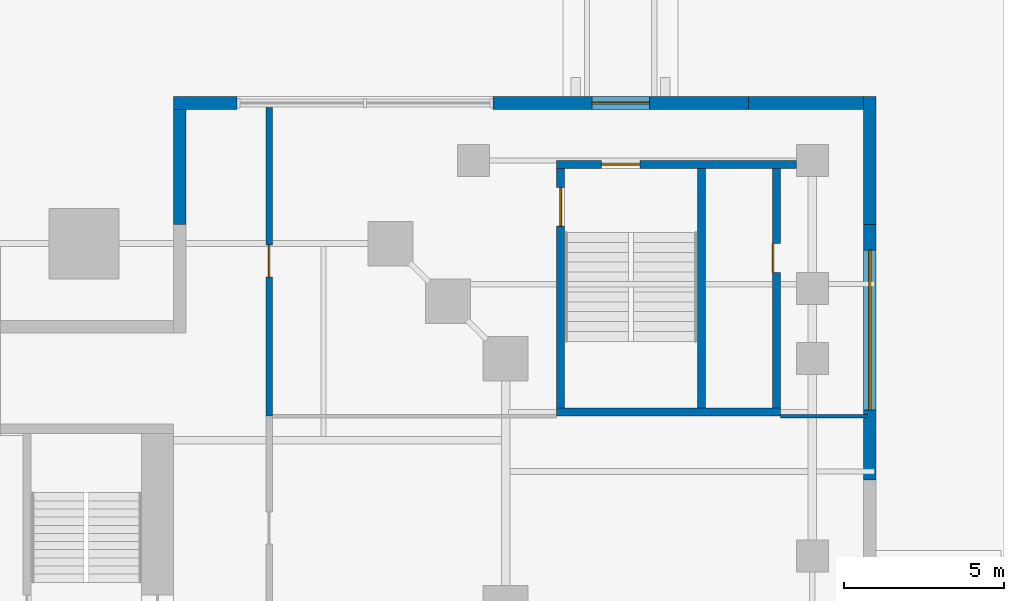
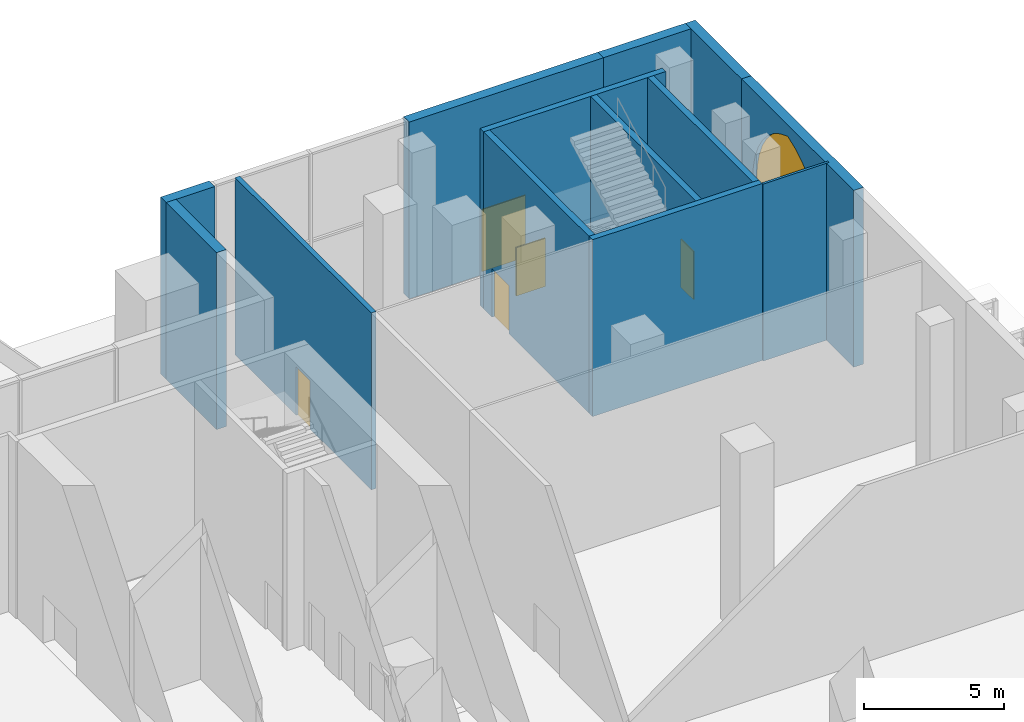
# One storey, part 34 of 38: 13 walls, 5 doors, 1 window, 6 openings.
"""IFC4 building model written with IfcOpenShell, lengths in metres."""

import ifcopenshell
import ifcopenshell.guid

model = None  # the IFC model being written
_history = None  # IfcOwnerHistory: only IFC2X3 demands one
_inside = {}  # id of a spatial element -> (the spatial element, [elements in it])
_under = {}  # id of a project, library or spatial element -> (it, [spatial elements below it])
_declared = {}  # id of a project -> (the project, [libraries it declares])
_typed = {}  # id of a type object -> (the type object, [elements of that type])
_made_of = {}  # id of a material, layer set ... -> (it, [elements and type objects made of it])


def new_model(schema):
    """Start an empty IFC model of exactly this schema.

    Asked for "IFC4X3", IfcOpenShell would pick the latest addendum, in which some entities
    have other attributes; the version numbers below select the first issue.
    IFC2X3 requires an IfcOwnerHistory on every rooted entity: one is made here for all.
    """
    global model, _history
    if schema == "IFC4X3":
        model = ifcopenshell.file(schema_version=(4, 3, 0, 0))
    else:
        model = ifcopenshell.file(schema=schema)
    _inside.clear()
    _under.clear()
    _declared.clear()
    _typed.clear()
    _made_of.clear()
    _history = None
    if model.schema == "IFC2X3":
        org = make("IfcOrganization", Name="unknown")
        user = make(
            "IfcPersonAndOrganization",
            ThePerson=make("IfcPerson", FamilyName="unknown"),
            TheOrganization=org,
        )
        app = make(
            "IfcApplication",
            ApplicationDeveloper=org,
            Version="unknown",
            ApplicationFullName="unknown",
            ApplicationIdentifier="unknown",
        )
        _history = make(
            "IfcOwnerHistory",
            OwningUser=user,
            OwningApplication=app,
            ChangeAction="ADDED",
            CreationDate=0,
        )
    return model


def make(cls, **values):
    """One entity of the class cls with the attributes given. An attribute that is None is left unset."""
    return model.create_entity(
        cls, **{name: value for name, value in values.items() if value is not None}
    )


def rooted(cls, **values):
    """An entity with a GlobalId (a new one), such as an element, a storey or a relation."""
    return make(cls, GlobalId=ifcopenshell.guid.new(), OwnerHistory=_history, **values)


def si_unit(unit_type, name, prefix=None):
    """IfcSIUnit, for example si_unit("LENGTHUNIT", "METRE", prefix="MILLI")."""
    return make("IfcSIUnit", UnitType=unit_type, Prefix=prefix, Name=name)


def assignment(units):
    """IfcUnitAssignment: the units of a project."""
    return None if units is None else make("IfcUnitAssignment", Units=units)


def point(xyz):
    """IfcCartesianPoint."""
    return None if xyz is None else make("IfcCartesianPoint", Coordinates=xyz)


def direction(xyz):
    """IfcDirection."""
    return None if xyz is None else make("IfcDirection", DirectionRatios=xyz)


def frame(location, z_axis=None, x_axis=None):
    """IfcAxis2Placement3D, a coordinate frame: its origin and axes. An axis left out is left unset."""
    return make(
        "IfcAxis2Placement3D",
        Location=point(location),
        Axis=direction(z_axis),
        RefDirection=direction(x_axis),
    )


def frame_2d(location, x_axis=None):
    """IfcAxis2Placement2D, a coordinate frame in the plane: its origin and x axis."""
    return make(
        "IfcAxis2Placement2D", Location=point(location), RefDirection=direction(x_axis)
    )


def origin():
    """The frame at (0, 0, 0) with its axes left unset."""
    return frame((0.0, 0.0, 0.0))


def place(relative_to, where):
    """IfcLocalPlacement: puts the frame where relative to a parent placement (None: the world)."""
    return make(
        "IfcLocalPlacement", PlacementRelTo=relative_to, RelativePlacement=where
    )


def context(
    kind, dimensions, precision=None, world=None, true_north=None, identifier=None
):
    """IfcGeometricRepresentationContext, for example the 3D "Model" context."""
    return make(
        "IfcGeometricRepresentationContext",
        ContextIdentifier=identifier,
        ContextType=kind,
        CoordinateSpaceDimension=dimensions,
        Precision=precision,
        WorldCoordinateSystem=world,
        TrueNorth=true_north,
    )


def subcontext(parent, identifier, kind, view, scale=None):
    """IfcGeometricRepresentationSubContext, for example "Body" below "Model"."""
    return make(
        "IfcGeometricRepresentationSubContext",
        ContextIdentifier=identifier,
        ContextType=kind,
        ParentContext=parent,
        TargetScale=scale,
        TargetView=view,
    )


def project(units=None, contexts=None):
    """IfcProject with its units and contexts."""
    return rooted(
        "IfcProject",
        Name="project",
        RepresentationContexts=contexts,
        UnitsInContext=assignment(units),
    )


def spatial(cls, under=None, at=None, **own):
    """A site, building, storey or space (cls), placed at a placement, below another one or the project."""
    s = rooted(cls, ObjectPlacement=at, **own)
    if under is not None:
        _under.setdefault(under.id(), (under, []))[1].append(s)
    return s


def polyline(points):
    """IfcPolyline through the points."""
    return make("IfcPolyline", Points=[point(p) for p in points])


def profile(cls, at=None, kind="AREA", **sizes):
    """A parametric profile (cls). Its sizes go by their IFC names, for example OverallWidth=200.0."""
    return make(cls, ProfileType=kind, Position=at, **sizes)


def rectangle(**sizes):
    """IfcRectangleProfileDef."""
    return profile("IfcRectangleProfileDef", **sizes)


def outline(outer, holes=None, kind="AREA"):
    """IfcArbitraryClosedProfileDef: a profile drawn as a closed curve; with holes, ...WithVoids."""
    if holes is None:
        return make("IfcArbitraryClosedProfileDef", ProfileType=kind, OuterCurve=outer)
    return make(
        "IfcArbitraryProfileDefWithVoids",
        ProfileType=kind,
        OuterCurve=outer,
        InnerCurves=holes,
    )


def extrude(swept, where, along, depth):
    """IfcExtrudedAreaSolid: the profile swept, set in the frame where, extruded along a direction by depth."""
    return make(
        "IfcExtrudedAreaSolid",
        SweptArea=swept,
        Position=where,
        ExtrudedDirection=direction(along),
        Depth=depth,
    )


def shape(context_of_items, identifier, shape_type, items):
    """IfcShapeRepresentation: the items that make up one representation, for example the "Body"."""
    return make(
        "IfcShapeRepresentation",
        ContextOfItems=context_of_items,
        RepresentationIdentifier=identifier,
        RepresentationType=shape_type,
        Items=items,
    )


def material(Name=None, Category=None):
    """IfcMaterial."""
    return make("IfcMaterial", Name=Name, Category=Category)


def layer(
    of_material, thickness, ventilated=None, Name=None, Category=None, Priority=None
):
    """IfcMaterialLayer: one layer of a wall or slab, of a material (None: an air gap)."""
    return make(
        "IfcMaterialLayer",
        Material=of_material,
        LayerThickness=thickness,
        IsVentilated=ventilated,
        Name=Name,
        Category=Category,
        Priority=Priority,
    )


def layer_set(layers, Name=None):
    """IfcMaterialLayerSet."""
    return make("IfcMaterialLayerSet", MaterialLayers=layers, LayerSetName=Name)


def made_of(thing, what):
    """Note that an element or type object is made of a material, layer set ...; save() writes the relation."""
    if what is not None:
        _made_of.setdefault(what.id(), (what, []))[1].append(thing)
    return thing


def type_object(cls, material=None, **own):
    """A type object (cls), such as IfcWallType, which elements share."""
    return made_of(rooted(cls, **own), material)


def element(
    cls,
    number,
    at=None,
    inside=None,
    cuts=None,
    type_object=None,
    material=None,
    context=None,
    identifier="Body",
    shape_type=None,
    held_by="IfcProductDefinitionShape",
    body=None,
    shapes=None,
    **own,
):
    """One element of the class cls, such as IfcWall. Its Tag is "e" and its number.

    at: its placement. inside: the storey or other place that contains it. cuts: it is an
    opening in that element (IfcRelVoidsElement). A single representation is given by context,
    identifier, shape_type and body (its items); several are given by shapes. held_by: the class
    of the entity that holds the representations. save() writes the other relations.
    """
    e = rooted(cls, Tag="e%d" % number, ObjectPlacement=at, **own)
    if body is not None:
        shapes = [shape(context, identifier, shape_type, body)]
    if shapes is not None:
        e.Representation = make(held_by, Representations=shapes)
    if inside is not None:
        _inside.setdefault(inside.id(), (inside, []))[1].append(e)
    if cuts is not None:
        rooted(
            "IfcRelVoidsElement", RelatingBuildingElement=cuts, RelatedOpeningElement=e
        )
    if type_object is not None:
        _typed.setdefault(type_object.id(), (type_object, []))[1].append(e)
    return made_of(e, material)


def fill(opening, filler):
    """IfcRelFillsElement: the door or window that sits in an opening."""
    return rooted(
        "IfcRelFillsElement",
        RelatingOpeningElement=opening,
        RelatedBuildingElement=filler,
    )


def aggregate(whole, parts):
    """IfcRelAggregates: a whole, such as a stair, and the parts it consists of."""
    return rooted("IfcRelAggregates", RelatingObject=whole, RelatedObjects=parts)


def save(model, path):
    """Write the relations noted so far, then the file.

    IfcRelAggregates (storeys below a building ...), IfcRelContainedInSpatialStructure (elements
    in a storey), IfcRelDefinesByType, IfcRelAssociatesMaterial and IfcRelDeclares: one each for
    every whole, place, type object, material and project.
    """
    for whole, parts in _under.values():
        aggregate(whole, parts)
    for where, things in _inside.values():
        rooted(
            "IfcRelContainedInSpatialStructure",
            RelatedElements=things,
            RelatingStructure=where,
        )
    for kind, things in _typed.values():
        rooted("IfcRelDefinesByType", RelatedObjects=things, RelatingType=kind)
    for what, things in _made_of.values():
        rooted("IfcRelAssociatesMaterial", RelatedObjects=things, RelatingMaterial=what)
    for by, libraries in _declared.values():
        rooted("IfcRelDeclares", RelatingContext=by, RelatedDefinitions=libraries)
    model.write(path)


model = new_model("IFC4")

# Units and contexts
model_context = context("Model", 3, precision=1e-05, world=origin(), true_north=direction((0.0, 1.0)))
body_context = subcontext(model_context, "Body", "Model", "MODEL_VIEW")
ifc_project = project(units=[si_unit("LENGTHUNIT", "METRE"), si_unit("AREAUNIT", "SQUARE_METRE"), si_unit("VOLUMEUNIT", "CUBIC_METRE"), si_unit("PLANEANGLEUNIT", "RADIAN"), si_unit("MASSUNIT", "GRAM", prefix="KILO")], contexts=[model_context])

# Site, building, storey
site_placement = place(None, origin())
site = spatial("IfcSite", under=ifc_project, at=site_placement, CompositionType="ELEMENT")
building_placement = place(site_placement, origin())
building = spatial("IfcBuilding", under=site, at=building_placement, Name="Ogive Exchange Tower", CompositionType="ELEMENT")
storey_placement = place(building_placement, origin())
storey = spatial("IfcBuildingStorey", under=building, at=storey_placement, Name="L00", CompositionType="ELEMENT", Elevation=0.0)

# Wall, opening, window
ifc_material_1 = material(Name="Precast concrete C40/50", Category="concrete")
ifc_layer_1 = layer(ifc_material_1, 0.39990234375)
ifc_layer_set_1 = layer_set([ifc_layer_1], Name="Limestone-faced wall 400")
wall_type_1 = type_object("IfcWallType", Name="Limestone-faced wall 400", PredefinedType="STANDARD", material=ifc_layer_set_1)
wall_1_placement = place(storey_placement, frame((43.800048828125, 24.0, 0.0), z_axis=(0.0, 0.0, 1.0), x_axis=(0.0, 1.0, 0.0)))
wall_1 = element("IfcWall", 1, at=wall_1_placement, inside=storey, type_object=wall_type_1, Name="Podium wall E11", PredefinedType="STANDARD", context=body_context, shape_type="SweptSolid", body=[
    extrude(rectangle(XDim=8.0, YDim=0.39990234375, at=frame_2d((4.0, 0.0))), origin(), (0.0, 0.0, 1.0), 7.699951171875),
])
opening_1_placement = place(wall_1_placement, frame((2.199951171875, 0.0, 0.5)))
opening_1 = element("IfcOpeningElement", 2, at=opening_1_placement, cuts=wall_1, Name="Opening WA500", PredefinedType="OPENING", context=body_context, shape_type="SweptSolid", body=[
    extrude(outline(polyline([(0.0, 0.0), (5.0, 0.0), (5.0, 3.349853515625), (4.955322265625, 3.907470703125), (4.822021484375, 4.450927734375), (4.603759765625, 4.966064453125), (4.30615234375, 5.43994140625), (3.936767578125, 5.860107421875), (3.5048828125, 6.2158203125), (3.02197265625, 6.498291015625), (2.5, 6.699951171875), (1.97802734375, 6.498291015625), (1.4951171875, 6.2158203125), (1.063232421875, 5.860107421875), (0.69384765625, 5.43994140625), (0.396240234375, 4.966064453125), (0.177978515625, 4.450927734375), (0.044677734375, 3.907470703125), (0.0, 3.349853515625), (0.0, 0.0)])), frame((0.0, 0.2099609375, 0.0), z_axis=(0.0, -1.0, 0.0), x_axis=(1.0, 0.0, 0.0)), (0.0, 0.0, 1.0), 0.419921875),
])
ifc_material_2 = material(Name="Clear glass in bronze frame", Category="glass")
window_type = type_object("IfcWindowType", Name="Arcade lancet 5000 x 6700", PartitioningType="DOUBLE_PANEL_VERTICAL", PredefinedType="WINDOW", material=ifc_material_2)
window_placement = place(opening_1_placement, origin())
window = element("IfcWindow", 3, at=window_placement, inside=storey, type_object=window_type, Name="Arcade lancet E11", OverallHeight=6.699951171875, OverallWidth=5.0, PartitioningType="DOUBLE_PANEL_VERTICAL", PredefinedType="WINDOW", context=body_context, shape_type="SweptSolid", body=[
    extrude(outline(polyline([(0.0, 0.0), (5.0, 0.0), (5.0, 3.349853515625), (4.955322265625, 3.907470703125), (4.822021484375, 4.450927734375), (4.603759765625, 4.966064453125), (4.30615234375, 5.43994140625), (3.936767578125, 5.860107421875), (3.5048828125, 6.2158203125), (3.02197265625, 6.498291015625), (2.5, 6.699951171875), (1.97802734375, 6.498291015625), (1.4951171875, 6.2158203125), (1.063232421875, 5.860107421875), (0.69384765625, 5.43994140625), (0.396240234375, 4.966064453125), (0.177978515625, 4.450927734375), (0.044677734375, 3.907470703125), (0.0, 3.349853515625), (0.0, 0.0)])), frame((0.0, 0.030029296875, 0.0), z_axis=(0.0, -1.0, 0.0), x_axis=(1.0, 0.0, 0.0)), (0.0, 0.0, 1.0), 0.06005859375),
])
fill(opening_1, window)

# Walls
wall_2_placement = place(storey_placement, frame((43.800048828125, 32.0, 0.0), z_axis=(0.0, 0.0, 1.0), x_axis=(0.0, 1.0, 0.0)))
element("IfcWall", 4, at=wall_2_placement, inside=storey, type_object=wall_type_1, Name="Podium wall E12", PredefinedType="STANDARD", context=body_context, shape_type="SweptSolid", body=[
    extrude(rectangle(XDim=4.0, YDim=0.39990234375, at=frame_2d((2.0, 0.0))), origin(), (0.0, 0.0, 1.0), 7.699951171875),
])
wall_3_placement = place(storey_placement, frame((43.60009765625, 35.800048828125, 0.0), z_axis=(0.0, 0.0, 1.0), x_axis=(-1.0, 0.0, 0.0)))
element("IfcWall", 5, at=wall_3_placement, inside=storey, type_object=wall_type_1, Name="Podium wall N1", PredefinedType="STANDARD", context=body_context, shape_type="SweptSolid", body=[
    extrude(rectangle(XDim=3.60009765625, YDim=0.39990234375, at=frame_2d((1.800048828125, 0.0))), origin(), (0.0, 0.0, 1.0), 7.699951171875),
])

# Wall, opening, door
wall_4_placement = place(storey_placement, frame((40.0, 35.800048828125, 0.0), z_axis=(0.0, 0.0, 1.0), x_axis=(-1.0, 0.0, 0.0)))
wall_4 = element("IfcWall", 6, at=wall_4_placement, inside=storey, type_object=wall_type_1, Name="Podium wall N2", PredefinedType="STANDARD", context=body_context, shape_type="SweptSolid", body=[
    extrude(rectangle(XDim=8.0, YDim=0.39990234375, at=frame_2d((4.0, 0.0))), origin(), (0.0, 0.0, 1.0), 7.699951171875),
])
opening_2_placement = place(wall_4_placement, frame((3.10009765625, 0.0, 0.0)))
opening_2 = element("IfcOpeningElement", 7, at=opening_2_placement, cuts=wall_4, Name="Opening L00-E14", PredefinedType="OPENING", context=body_context, shape_type="SweptSolid", body=[
    extrude(rectangle(XDim=1.800048828125, YDim=2.699951171875, at=frame_2d((0.89990234375, 1.35009765625))), frame((0.0, 0.2099609375, 0.0), z_axis=(0.0, -1.0, 0.0), x_axis=(1.0, 0.0, 0.0)), (0.0, 0.0, 1.0), 0.419921875),
])
ifc_material_3 = material(Name="Steel and glass", Category="steel")
door_type_1 = type_object("IfcDoorType", Name="Exit door 1800 x 2700", OperationType="DOUBLE_DOOR_SINGLE_SWING", PredefinedType="DOOR", material=ifc_material_3)
door_1_placement = place(opening_2_placement, frame((1.800048828125, 0.0, 0.0), z_axis=(0.0, 0.0, 1.0), x_axis=(-1.0, 0.0, 0.0)))
door_1 = element("IfcDoor", 8, at=door_1_placement, inside=storey, type_object=door_type_1, Name="Exit door X13", ObjectType="XD1", OperationType="DOUBLE_DOOR_SINGLE_SWING", OverallHeight=2.699951171875, OverallWidth=1.800048828125, PredefinedType="DOOR", context=body_context, shape_type="SweptSolid", body=[
    extrude(rectangle(XDim=1.800048828125, YDim=2.699951171875, at=frame_2d((0.89990234375, 1.35009765625))), frame((0.0, 0.02490234375, 0.0), z_axis=(0.0, -1.0, 0.0), x_axis=(1.0, 0.0, 0.0)), (0.0, 0.0, 1.0), 0.050048828125),
])
fill(opening_2, door_1)

# Walls
wall_5_placement = place(storey_placement, frame((24.0, 35.800048828125, 0.0), z_axis=(0.0, 0.0, 1.0), x_axis=(-1.0, 0.0, 0.0)))
element("IfcWall", 9, at=wall_5_placement, inside=storey, type_object=wall_type_1, Name="Podium wall N4", PredefinedType="STANDARD", context=body_context, shape_type="SweptSolid", body=[
    extrude(rectangle(XDim=2.0, YDim=0.39990234375, at=frame_2d((1.0, 0.0))), origin(), (0.0, 0.0, 1.0), 7.699951171875),
])
wall_6_placement = place(storey_placement, frame((22.199951171875, 35.60009765625, 0.0), z_axis=(0.0, 0.0, 1.0), x_axis=(0.0, -1.0, 0.0)))
element("IfcWall", 10, at=wall_6_placement, inside=storey, type_object=wall_type_1, Name="Podium wall K1", PredefinedType="STANDARD", context=body_context, shape_type="SweptSolid", body=[
    extrude(rectangle(XDim=3.60009765625, YDim=0.39990234375, at=frame_2d((1.800048828125, 0.0))), origin(), (0.0, 0.0, 1.0), 7.699951171875),
])
ifc_material_4 = material(Name="Partition 100 gypsum")
ifc_layer_2 = layer(ifc_material_4, 0.10009765625)
ifc_layer_set_2 = layer_set([ifc_layer_2], Name="Partition 100 gypsum")
wall_type_2 = type_object("IfcWallType", Name="Partition 100 gypsum", PredefinedType="PARTITIONING", material=ifc_layer_set_2)
wall_7_placement = place(storey_placement, frame((41.0, 26.0, 0.0), z_axis=(0.0, 0.0, 1.0), x_axis=(1.0, 0.0, 0.0)))
element("IfcWall", 11, at=wall_7_placement, inside=storey, type_object=wall_type_2, Name="L00-PWL-029", PredefinedType="PARTITIONING", context=body_context, shape_type="SweptSolid", body=[
    extrude(rectangle(XDim=2.719970703125, YDim=0.10009765625, at=frame_2d((1.35986328125, 0.0))), origin(), (0.0, 0.0, 1.0), 7.699951171875),
])
ifc_material_5 = material(Name="Concrete C70/85", Category="concrete")
ifc_layer_3 = layer(ifc_material_5, 0.25)
ifc_layer_set_3 = layer_set([ifc_layer_3], Name="RC core wall 250 C70/85")
wall_type_3 = type_object("IfcWallType", Name="RC core wall 250 C70/85", PredefinedType="SHEAR", material=ifc_layer_set_3)
wall_8_placement = place(storey_placement, frame((34.0, 26.125, 0.0), z_axis=(0.0, 0.0, 1.0), x_axis=(1.0, 0.0, 0.0)))
element("IfcWall", 12, at=wall_8_placement, inside=storey, type_object=wall_type_3, Name="PS4 south wall", PredefinedType="SHEAR", context=body_context, shape_type="SweptSolid", body=[
    extrude(rectangle(XDim=7.0, YDim=0.25, at=frame_2d((3.5, 0.0))), origin(), (0.0, 0.0, 1.0), 7.699951171875),
])

# Wall, opening, door
wall_9_placement = place(storey_placement, frame((34.0, 33.875, 0.0), z_axis=(0.0, 0.0, 1.0), x_axis=(1.0, 0.0, 0.0)))
wall_9 = element("IfcWall", 13, at=wall_9_placement, inside=storey, type_object=wall_type_3, Name="PS4 north wall", PredefinedType="SHEAR", context=body_context, shape_type="SweptSolid", body=[
    extrude(rectangle(XDim=7.5, YDim=0.25, at=frame_2d((3.75, 0.0))), origin(), (0.0, 0.0, 1.0), 7.699951171875),
])
opening_3_placement = place(wall_9_placement, frame((1.39990234375, 0.0, 0.0)))
opening_3 = element("IfcOpeningElement", 14, at=opening_3_placement, cuts=wall_9, Name="Opening L00-C55", PredefinedType="OPENING", context=body_context, shape_type="SweptSolid", body=[
    extrude(rectangle(XDim=1.199951171875, YDim=2.10009765625, at=frame_2d((0.60009765625, 1.050048828125))), frame((0.0, 0.135009765625, 0.0), z_axis=(0.0, -1.0, 0.0), x_axis=(1.0, 0.0, 0.0)), (0.0, 0.0, 1.0), 0.27001953125),
])
ifc_material_6 = material(Name="Steel fire door", Category="steel")
door_type_2 = type_object("IfcDoorType", Name="Stair door FD90 1200 x 2100", OperationType="NOTDEFINED", PredefinedType="DOOR", material=ifc_material_6)
door_2_placement = place(opening_3_placement, origin())
door_2 = element("IfcDoor", 15, at=door_2_placement, inside=storey, type_object=door_type_2, Name="Stair door", ObjectType="CD5", OperationType="SINGLE_SWING_LEFT", OverallHeight=2.10009765625, OverallWidth=1.199951171875, PredefinedType="DOOR", context=body_context, shape_type="SweptSolid", body=[
    extrude(rectangle(XDim=1.199951171875, YDim=2.10009765625, at=frame_2d((0.60009765625, 1.050048828125))), frame((0.0, 0.02490234375, 0.0), z_axis=(0.0, -1.0, 0.0), x_axis=(1.0, 0.0, 0.0)), (0.0, 0.0, 1.0), 0.050048828125),
])
fill(opening_3, door_2)

wall_10_placement = place(storey_placement, frame((34.125, 26.25, 0.0), z_axis=(0.0, 0.0, 1.0), x_axis=(0.0, 1.0, 0.0)))
wall_10 = element("IfcWall", 16, at=wall_10_placement, inside=storey, type_object=wall_type_3, Name="PS4 west wall", PredefinedType="SHEAR", context=body_context, shape_type="SweptSolid", body=[
    extrude(rectangle(XDim=7.5, YDim=0.25, at=frame_2d((3.75, 0.0))), origin(), (0.0, 0.0, 1.0), 7.699951171875),
])
opening_4_placement = place(wall_10_placement, frame((5.699951171875, 0.0, 0.0)))
opening_4 = element("IfcOpeningElement", 17, at=opening_4_placement, cuts=wall_10, Name="Opening L00-C53", PredefinedType="OPENING", context=body_context, shape_type="SweptSolid", body=[
    extrude(rectangle(XDim=1.199951171875, YDim=2.10009765625, at=frame_2d((0.60009765625, 1.050048828125))), frame((0.0, 0.135009765625, 0.0), z_axis=(0.0, -1.0, 0.0), x_axis=(1.0, 0.0, 0.0)), (0.0, 0.0, 1.0), 0.27001953125),
])
door_3_placement = place(opening_4_placement, origin())
door_3 = element("IfcDoor", 18, at=door_3_placement, inside=storey, type_object=door_type_2, Name="Stair door", ObjectType="CD5", OperationType="SINGLE_SWING_LEFT", OverallHeight=2.10009765625, OverallWidth=1.199951171875, PredefinedType="DOOR", context=body_context, shape_type="SweptSolid", body=[
    extrude(rectangle(XDim=1.199951171875, YDim=2.10009765625, at=frame_2d((0.60009765625, 1.050048828125))), frame((0.0, 0.02490234375, 0.0), z_axis=(0.0, -1.0, 0.0), x_axis=(1.0, 0.0, 0.0)), (0.0, 0.0, 1.0), 0.050048828125),
])
fill(opening_4, door_3)

wall_11_placement = place(storey_placement, frame((40.875, 26.25, 0.0), z_axis=(0.0, 0.0, 1.0), x_axis=(0.0, 1.0, 0.0)))
wall_11 = element("IfcWall", 19, at=wall_11_placement, inside=storey, type_object=wall_type_3, Name="PS4 east wall", PredefinedType="SHEAR", context=body_context, shape_type="SweptSolid", body=[
    extrude(rectangle(XDim=7.5, YDim=0.25, at=frame_2d((3.75, 0.0))), origin(), (0.0, 0.0, 1.0), 7.699951171875),
])
opening_5_placement = place(wall_11_placement, frame((4.25, 0.0, 0.0)))
opening_5 = element("IfcOpeningElement", 20, at=opening_5_placement, cuts=wall_11, Name="Opening L00-C54", PredefinedType="OPENING", context=body_context, shape_type="SweptSolid", body=[
    extrude(rectangle(XDim=0.89990234375, YDim=2.10009765625, at=frame_2d((0.449951171875, 1.050048828125))), frame((0.0, 0.135009765625, 0.0), z_axis=(0.0, -1.0, 0.0), x_axis=(1.0, 0.0, 0.0)), (0.0, 0.0, 1.0), 0.27001953125),
])
door_type_3 = type_object("IfcDoorType", Name="Riser door FD60 900 x 2100", OperationType="NOTDEFINED", PredefinedType="DOOR", material=ifc_material_6)
door_4_placement = place(opening_5_placement, frame((0.89990234375, 0.2001953125, 0.0), z_axis=(0.0, 0.0, 1.0), x_axis=(-1.0, 0.0, 0.0)))
door_4 = element("IfcDoor", 21, at=door_4_placement, inside=storey, type_object=door_type_3, Name="Riser door", ObjectType="CD2", OperationType="SINGLE_SWING_RIGHT", OverallHeight=2.10009765625, OverallWidth=0.89990234375, PredefinedType="DOOR", context=body_context, shape_type="SweptSolid", body=[
    extrude(rectangle(XDim=0.89990234375, YDim=2.10009765625, at=frame_2d((0.449951171875, 1.050048828125))), frame((0.0, 0.125, 0.0), z_axis=(0.0, -1.0, 0.0), x_axis=(1.0, 0.0, 0.0)), (0.0, 0.0, 1.0), 0.050048828125),
])
fill(opening_5, door_4)

# Wall
wall_12_placement = place(storey_placement, frame((38.52490234375, 26.25, 0.0), z_axis=(0.0, 0.0, 1.0), x_axis=(0.0, 1.0, 0.0)))
element("IfcWall", 22, at=wall_12_placement, inside=storey, type_object=wall_type_3, Name="PS4 partition wall", PredefinedType="SHEAR", context=body_context, shape_type="SweptSolid", body=[
    extrude(rectangle(XDim=7.5, YDim=0.25, at=frame_2d((3.75, 0.0))), origin(), (0.0, 0.0, 1.0), 7.699951171875),
])

# Wall, opening, door
ifc_material_7 = material(Name="Shaft enclosure EI 120 200")
ifc_layer_4 = layer(ifc_material_7, 0.199951171875)
ifc_layer_set_4 = layer_set([ifc_layer_4], Name="Shaft enclosure EI 120 200")
wall_type_4 = type_object("IfcWallType", Name="Shaft enclosure EI 120 200", PredefinedType="PARTITIONING", material=ifc_layer_set_4)
wall_13_placement = place(storey_placement, frame((25.0, 26.0, 0.0), z_axis=(0.0, 0.0, 1.0), x_axis=(0.0, 1.0, 0.0)))
wall_13 = element("IfcWall", 23, at=wall_13_placement, inside=storey, type_object=wall_type_4, Name="L00-PWL-047", PredefinedType="PARTITIONING", context=body_context, shape_type="SweptSolid", body=[
    extrude(rectangle(XDim=9.719970703125, YDim=0.199951171875, at=frame_2d((4.85986328125, 0.0))), origin(), (0.0, 0.0, 1.0), 7.699951171875),
])
opening_6_placement = place(wall_13_placement, frame((4.360107421875, 0.0, 0.0)))
opening_6 = element("IfcOpeningElement", 24, at=opening_6_placement, cuts=wall_13, Name="Opening L00-I06", PredefinedType="OPENING", context=body_context, shape_type="SweptSolid", body=[
    extrude(rectangle(XDim=1.0, YDim=2.10009765625, at=frame_2d((0.5, 1.050048828125))), frame((0.0, 0.10986328125, 0.0), z_axis=(0.0, -1.0, 0.0), x_axis=(1.0, 0.0, 0.0)), (0.0, 0.0, 1.0), 0.219970703125),
])
ifc_material_8 = material(Name="Stair door FD 90 1000 x 2100")
door_type_4 = type_object("IfcDoorType", Name="Stair door FD 90 1000 x 2100", OperationType="NOTDEFINED", PredefinedType="DOOR", material=ifc_material_8)
door_5_placement = place(opening_6_placement, frame((1.0, 0.0, 0.0), z_axis=(0.0, 0.0, 1.0), x_axis=(-1.0, 0.0, 0.0)))
door_5 = element("IfcDoor", 25, at=door_5_placement, inside=storey, type_object=door_type_4, Name="L00-IDR-006", ObjectType="DT5", OperationType="SINGLE_SWING_LEFT", OverallHeight=2.10009765625, OverallWidth=1.0, PredefinedType="DOOR", context=body_context, shape_type="SweptSolid", body=[
    extrude(rectangle(XDim=1.0, YDim=2.10009765625, at=frame_2d((0.5, 1.050048828125))), frame((0.0, 0.02490234375, 0.0), z_axis=(0.0, -1.0, 0.0), x_axis=(1.0, 0.0, 0.0)), (0.0, 0.0, 1.0), 0.050048828125),
])
fill(opening_6, door_5)

save(model, "model.ifc")
